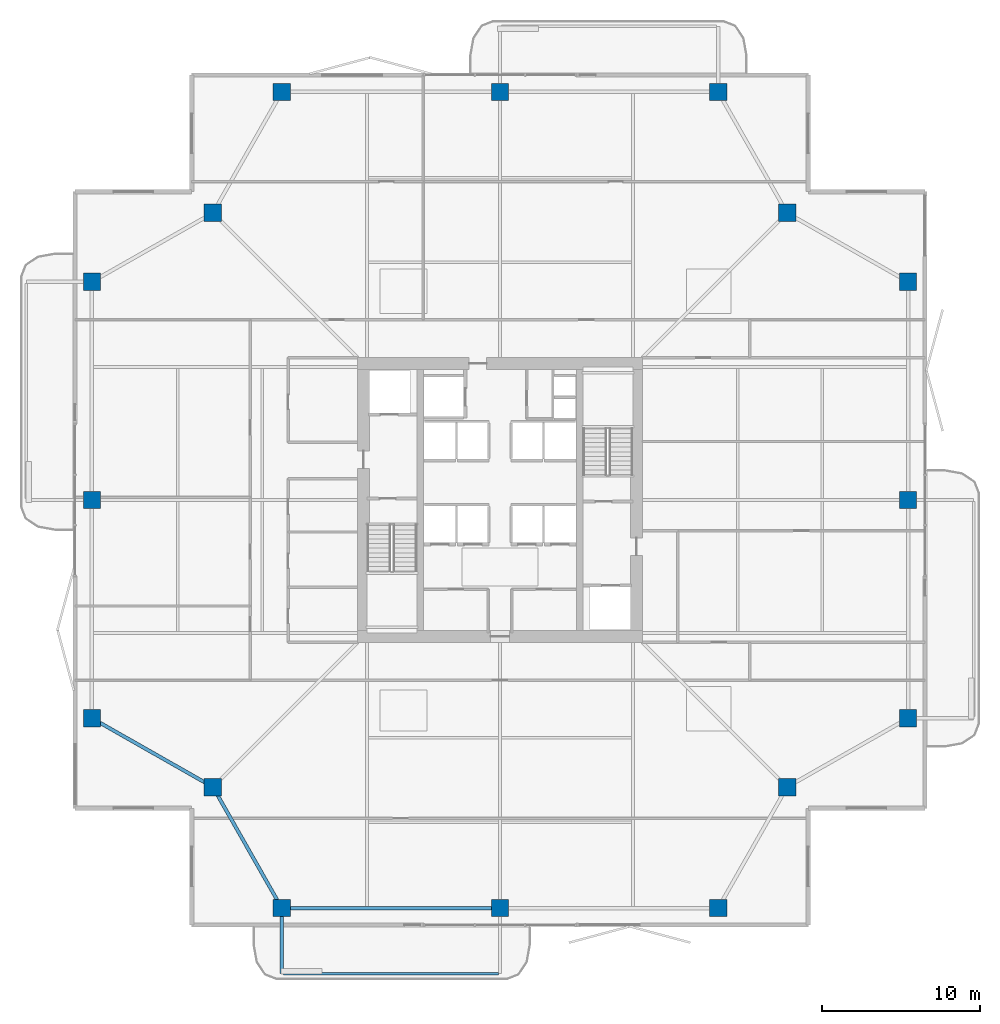
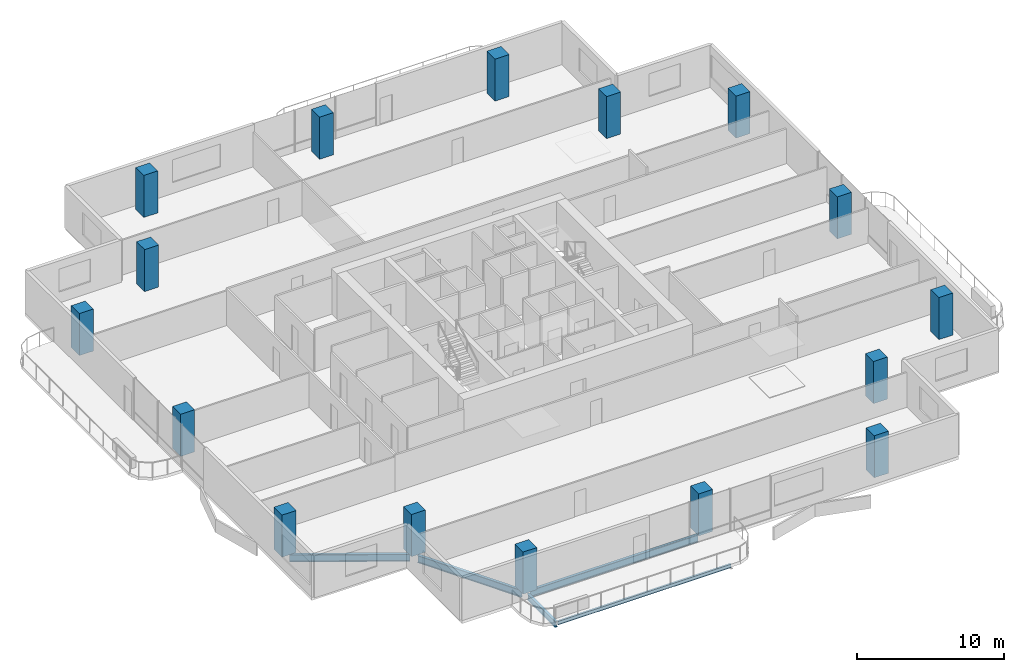
# One storey, part 1 of 24: 16 columns, 5 beams.
"""IFC4 building model written with IfcOpenShell, lengths in metres."""

import ifcopenshell
import ifcopenshell.guid

model = None  # the IFC model being written
_history = None  # IfcOwnerHistory: only IFC2X3 demands one
_inside = {}  # id of a spatial element -> (the spatial element, [elements in it])
_under = {}  # id of a project, library or spatial element -> (it, [spatial elements below it])
_declared = {}  # id of a project -> (the project, [libraries it declares])
_typed = {}  # id of a type object -> (the type object, [elements of that type])
_made_of = {}  # id of a material, layer set ... -> (it, [elements and type objects made of it])


def new_model(schema):
    """Start an empty IFC model of exactly this schema.

    Asked for "IFC4X3", IfcOpenShell would pick the latest addendum, in which some entities
    have other attributes; the version numbers below select the first issue.
    IFC2X3 requires an IfcOwnerHistory on every rooted entity: one is made here for all.
    """
    global model, _history
    if schema == "IFC4X3":
        model = ifcopenshell.file(schema_version=(4, 3, 0, 0))
    else:
        model = ifcopenshell.file(schema=schema)
    _inside.clear()
    _under.clear()
    _declared.clear()
    _typed.clear()
    _made_of.clear()
    _history = None
    if model.schema == "IFC2X3":
        org = make("IfcOrganization", Name="unknown")
        user = make(
            "IfcPersonAndOrganization",
            ThePerson=make("IfcPerson", FamilyName="unknown"),
            TheOrganization=org,
        )
        app = make(
            "IfcApplication",
            ApplicationDeveloper=org,
            Version="unknown",
            ApplicationFullName="unknown",
            ApplicationIdentifier="unknown",
        )
        _history = make(
            "IfcOwnerHistory",
            OwningUser=user,
            OwningApplication=app,
            ChangeAction="ADDED",
            CreationDate=0,
        )
    return model


def make(cls, **values):
    """One entity of the class cls with the attributes given. An attribute that is None is left unset."""
    return model.create_entity(
        cls, **{name: value for name, value in values.items() if value is not None}
    )


def rooted(cls, **values):
    """An entity with a GlobalId (a new one), such as an element, a storey or a relation."""
    return make(cls, GlobalId=ifcopenshell.guid.new(), OwnerHistory=_history, **values)


def si_unit(unit_type, name, prefix=None):
    """IfcSIUnit, for example si_unit("LENGTHUNIT", "METRE", prefix="MILLI")."""
    return make("IfcSIUnit", UnitType=unit_type, Prefix=prefix, Name=name)


def assignment(units):
    """IfcUnitAssignment: the units of a project."""
    return None if units is None else make("IfcUnitAssignment", Units=units)


def point(xyz):
    """IfcCartesianPoint."""
    return None if xyz is None else make("IfcCartesianPoint", Coordinates=xyz)


def direction(xyz):
    """IfcDirection."""
    return None if xyz is None else make("IfcDirection", DirectionRatios=xyz)


def frame(location, z_axis=None, x_axis=None):
    """IfcAxis2Placement3D, a coordinate frame: its origin and axes. An axis left out is left unset."""
    return make(
        "IfcAxis2Placement3D",
        Location=point(location),
        Axis=direction(z_axis),
        RefDirection=direction(x_axis),
    )


def frame_2d(location, x_axis=None):
    """IfcAxis2Placement2D, a coordinate frame in the plane: its origin and x axis."""
    return make(
        "IfcAxis2Placement2D", Location=point(location), RefDirection=direction(x_axis)
    )


def origin():
    """The frame at (0, 0, 0) with its axes left unset."""
    return frame((0.0, 0.0, 0.0))


def origin_2d():
    """The frame at (0, 0) in the plane with its x axis left unset."""
    return frame_2d((0.0, 0.0))


def place(relative_to, where):
    """IfcLocalPlacement: puts the frame where relative to a parent placement (None: the world)."""
    return make(
        "IfcLocalPlacement", PlacementRelTo=relative_to, RelativePlacement=where
    )


def context(
    kind, dimensions, precision=None, world=None, true_north=None, identifier=None
):
    """IfcGeometricRepresentationContext, for example the 3D "Model" context."""
    return make(
        "IfcGeometricRepresentationContext",
        ContextIdentifier=identifier,
        ContextType=kind,
        CoordinateSpaceDimension=dimensions,
        Precision=precision,
        WorldCoordinateSystem=world,
        TrueNorth=true_north,
    )


def subcontext(parent, identifier, kind, view, scale=None):
    """IfcGeometricRepresentationSubContext, for example "Body" below "Model"."""
    return make(
        "IfcGeometricRepresentationSubContext",
        ContextIdentifier=identifier,
        ContextType=kind,
        ParentContext=parent,
        TargetScale=scale,
        TargetView=view,
    )


def project(units=None, contexts=None):
    """IfcProject with its units and contexts."""
    return rooted(
        "IfcProject",
        Name="project",
        RepresentationContexts=contexts,
        UnitsInContext=assignment(units),
    )


def spatial(cls, under=None, at=None, **own):
    """A site, building, storey or space (cls), placed at a placement, below another one or the project."""
    s = rooted(cls, ObjectPlacement=at, **own)
    if under is not None:
        _under.setdefault(under.id(), (under, []))[1].append(s)
    return s


def profile(cls, at=None, kind="AREA", **sizes):
    """A parametric profile (cls). Its sizes go by their IFC names, for example OverallWidth=200.0."""
    return make(cls, ProfileType=kind, Position=at, **sizes)


def rectangle(**sizes):
    """IfcRectangleProfileDef."""
    return profile("IfcRectangleProfileDef", **sizes)


def i_section(**sizes):
    """IfcIShapeProfileDef."""
    return profile("IfcIShapeProfileDef", **sizes)


def extrude(swept, where, along, depth):
    """IfcExtrudedAreaSolid: the profile swept, set in the frame where, extruded along a direction by depth."""
    return make(
        "IfcExtrudedAreaSolid",
        SweptArea=swept,
        Position=where,
        ExtrudedDirection=direction(along),
        Depth=depth,
    )


def shape(context_of_items, identifier, shape_type, items):
    """IfcShapeRepresentation: the items that make up one representation, for example the "Body"."""
    return make(
        "IfcShapeRepresentation",
        ContextOfItems=context_of_items,
        RepresentationIdentifier=identifier,
        RepresentationType=shape_type,
        Items=items,
    )


def material(Name=None, Category=None):
    """IfcMaterial."""
    return make("IfcMaterial", Name=Name, Category=Category)


def material_profile(
    of_material, cross_section, Name=None, Category=None, Priority=None
):
    """IfcMaterialProfile: a cross section and its material."""
    return make(
        "IfcMaterialProfile",
        Name=Name,
        Material=of_material,
        Profile=cross_section,
        Priority=Priority,
        Category=Category,
    )


def profile_set(profiles, Name=None, composite=None):
    """IfcMaterialProfileSet."""
    return make(
        "IfcMaterialProfileSet",
        Name=Name,
        MaterialProfiles=profiles,
        CompositeProfile=composite,
    )


def made_of(thing, what):
    """Note that an element or type object is made of a material, layer set ...; save() writes the relation."""
    if what is not None:
        _made_of.setdefault(what.id(), (what, []))[1].append(thing)
    return thing


def type_object(cls, material=None, **own):
    """A type object (cls), such as IfcWallType, which elements share."""
    return made_of(rooted(cls, **own), material)


def element(
    cls,
    number,
    at=None,
    inside=None,
    cuts=None,
    type_object=None,
    material=None,
    context=None,
    identifier="Body",
    shape_type=None,
    held_by="IfcProductDefinitionShape",
    body=None,
    shapes=None,
    **own,
):
    """One element of the class cls, such as IfcWall. Its Tag is "e" and its number.

    at: its placement. inside: the storey or other place that contains it. cuts: it is an
    opening in that element (IfcRelVoidsElement). A single representation is given by context,
    identifier, shape_type and body (its items); several are given by shapes. held_by: the class
    of the entity that holds the representations. save() writes the other relations.
    """
    e = rooted(cls, Tag="e%d" % number, ObjectPlacement=at, **own)
    if body is not None:
        shapes = [shape(context, identifier, shape_type, body)]
    if shapes is not None:
        e.Representation = make(held_by, Representations=shapes)
    if inside is not None:
        _inside.setdefault(inside.id(), (inside, []))[1].append(e)
    if cuts is not None:
        rooted(
            "IfcRelVoidsElement", RelatingBuildingElement=cuts, RelatedOpeningElement=e
        )
    if type_object is not None:
        _typed.setdefault(type_object.id(), (type_object, []))[1].append(e)
    return made_of(e, material)


def aggregate(whole, parts):
    """IfcRelAggregates: a whole, such as a stair, and the parts it consists of."""
    return rooted("IfcRelAggregates", RelatingObject=whole, RelatedObjects=parts)


def save(model, path):
    """Write the relations noted so far, then the file.

    IfcRelAggregates (storeys below a building ...), IfcRelContainedInSpatialStructure (elements
    in a storey), IfcRelDefinesByType, IfcRelAssociatesMaterial and IfcRelDeclares: one each for
    every whole, place, type object, material and project.
    """
    for whole, parts in _under.values():
        aggregate(whole, parts)
    for where, things in _inside.values():
        rooted(
            "IfcRelContainedInSpatialStructure",
            RelatedElements=things,
            RelatingStructure=where,
        )
    for kind, things in _typed.values():
        rooted("IfcRelDefinesByType", RelatedObjects=things, RelatingType=kind)
    for what, things in _made_of.values():
        rooted("IfcRelAssociatesMaterial", RelatedObjects=things, RelatingMaterial=what)
    for by, libraries in _declared.values():
        rooted("IfcRelDeclares", RelatingContext=by, RelatedDefinitions=libraries)
    model.write(path)


model = new_model("IFC4")

# Units and contexts
model_context = context("Model", 3, precision=1e-05, world=origin(), true_north=direction((0.0, 1.0)))
body_context = subcontext(model_context, "Body", "Model", "MODEL_VIEW")
ifc_project = project(units=[si_unit("LENGTHUNIT", "METRE"), si_unit("AREAUNIT", "SQUARE_METRE"), si_unit("VOLUMEUNIT", "CUBIC_METRE"), si_unit("PLANEANGLEUNIT", "RADIAN"), si_unit("MASSUNIT", "GRAM", prefix="KILO")], contexts=[model_context])

# Site, building, storey
site_placement = place(None, origin())
site = spatial("IfcSite", under=ifc_project, at=site_placement, CompositionType="ELEMENT")
building_placement = place(site_placement, origin())
building = spatial("IfcBuilding", under=site, at=building_placement, Name="Belovzor Exchange Tower", CompositionType="ELEMENT")
storey_placement = place(building_placement, frame((0.0, 0.0, 207.449951171875)))
storey = spatial("IfcBuildingStorey", under=building, at=storey_placement, Name="L51", CompositionType="ELEMENT", Elevation=207.449951171875)

# Columns
ifc_material_1 = material(Name="Concrete C50/60", Category="concrete")
ifc_material_profile_1 = material_profile(ifc_material_1, rectangle(XDim=1.10009765625, YDim=1.10009765625, at=origin_2d()))
ifc_profile_set_1 = profile_set([ifc_material_profile_1], Name="Concrete C50/60")
column_type = type_object("IfcColumnType", Name="Reinforced Concrete Tower Column 1100x1100", PredefinedType="COLUMN", material=ifc_profile_set_1)
for number, where, z_axis, x_axis, name in (
    (1, (15.0, 3.0, 0.0029296875), (0.0, 0.0, 1.0), (1.0, 0.0, 0.0), "COL-T110 Reinforced Concrete Tower Column 1100x1100"),
    (2, (28.800048828125, 3.0, 0.0029296875), (0.0, 0.0, 1.0), (1.0, 0.0, 0.0), "COL-T110 Reinforced Concrete Tower Column 1100x1100"),
    (3, (42.60009765625, 3.0, 0.0029296875), (0.0, 0.0, 1.0), (1.0, 0.0, 0.0), "COL-T110 Reinforced Concrete Tower Column 1100x1100"),
    (4, (54.60009765625, 15.0, 0.0029296875), (0.0, 0.0, 1.0), (1.0, 0.0, 0.0), "COL-T110 Reinforced Concrete Tower Column 1100x1100"),
    (5, (54.60009765625, 28.800048828125, 0.0029296875), (0.0, 0.0, 1.0), (1.0, 0.0, 0.0), "COL-T110 Reinforced Concrete Tower Column 1100x1100"),
    (6, (54.60009765625, 42.60009765625, 0.0029296875), (0.0, 0.0, 1.0), (1.0, 0.0, 0.0), "COL-T110 Reinforced Concrete Tower Column 1100x1100"),
    (7, (42.60009765625, 54.60009765625, 0.0029296875), (0.0, 0.0, 1.0), (1.0, 0.0, 0.0), "COL-T110 Reinforced Concrete Tower Column 1100x1100"),
    (8, (28.800048828125, 54.60009765625, 0.0029296875), (0.0, 0.0, 1.0), (1.0, 0.0, 0.0), "COL-T110 Reinforced Concrete Tower Column 1100x1100"),
    (9, (15.0, 54.60009765625, 0.0029296875), (0.0, 0.0, 1.0), (1.0, 0.0, 0.0), "COL-T110 Reinforced Concrete Tower Column 1100x1100"),
    (10, (3.0, 42.60009765625, 0.0029296875), (0.0, 0.0, 1.0), (1.0, 0.0, 0.0), "COL-T110 Reinforced Concrete Tower Column 1100x1100"),
    (11, (3.0, 28.800048828125, 0.0029296875), (0.0, 0.0, 1.0), (1.0, 0.0, 0.0), "COL-T110 Reinforced Concrete Tower Column 1100x1100"),
    (12, (3.0, 15.0, 0.0029296875), (0.0, 0.0, 1.0), (1.0, 0.0, 0.0), "COL-T110 Reinforced Concrete Tower Column 1100x1100"),
    (13, (10.64990234375, 10.64990234375, 0.0029296875), (0.0, 0.0, 1.0), (1.0, 0.0, 0.0), "COL-T110 Reinforced Concrete Tower Column 1100x1100"),
    (14, (46.949951171875, 10.64990234375, 0.0029296875), (0.0, 0.0, 1.0), (1.0, 0.0, 0.0), "COL-T110 Reinforced Concrete Tower Column 1100x1100"),
    (15, (46.949951171875, 46.949951171875, 0.0029296875), (0.0, 0.0, 1.0), (1.0, 0.0, 0.0), "COL-T110 Reinforced Concrete Tower Column 1100x1100"),
    (16, (10.64990234375, 46.949951171875, 0.0029296875), (0.0, 0.0, 1.0), (1.0, 0.0, 0.0), "COL-T110 Reinforced Concrete Tower Column 1100x1100"),
):
    element("IfcColumn", number, at=place(storey_placement, frame(where, z_axis=z_axis, x_axis=x_axis)), inside=storey, type_object=column_type, Name=name, PredefinedType="COLUMN", context=body_context, shape_type="SweptSolid", body=[
        extrude(rectangle(XDim=1.10009765625, YDim=1.10009765625, at=origin_2d()), origin(), (0.0, 0.0, 1.0), 3.494140625),
    ])

# Beams
ifc_material_2 = material(Name="Steel S355", Category="steel")
ifc_material_profile_2 = material_profile(ifc_material_2, i_section(OverallWidth=0.199951171875, OverallDepth=0.5, WebThickness=0.01025390625, FlangeThickness=0.01611328125, at=origin_2d()))
ifc_profile_set_2 = profile_set([ifc_material_profile_2], Name="Steel S355")
beam_type_1 = type_object("IfcBeamType", Name="Planted Balcony Cantilever Beam IPE 500", PredefinedType="BEAM", material=ifc_profile_set_2)
beam_1_placement = place(storey_placement, frame((15.0, 2.697021484375, -0.5), z_axis=(0.0, -1.0, 0.0), x_axis=(1.0, 0.0, 0.0)))
element("IfcBeam", 17, at=beam_1_placement, inside=storey, type_object=beam_type_1, Name="BC-500 Planted Balcony Cantilever Beam IPE 500", PredefinedType="BEAM", context=body_context, shape_type="SweptSolid", body=[
    extrude(i_section(OverallWidth=0.199951171875, OverallDepth=0.5, WebThickness=0.01025390625, FlangeThickness=0.01611328125, at=origin_2d()), origin(), (0.0, 0.0, 1.0), 3.85009765625),
])
ifc_material_3 = material(Name="Steel S355", Category="steel")
ifc_material_profile_3 = material_profile(ifc_material_3, i_section(OverallWidth=0.14990234375, OverallDepth=0.300048828125, WebThickness=0.007080078125, FlangeThickness=0.0107421875, at=origin_2d()))
ifc_profile_set_3 = profile_set([ifc_material_profile_3], Name="Steel S355")
beam_type_2 = type_object("IfcBeamType", Name="Planted Balcony Fascia Edge Beam IPE 300", PredefinedType="BEAM", material=ifc_profile_set_3)
beam_2_placement = place(storey_placement, frame((15.10009765625, -1.153076171875, -0.39990234375), z_axis=(1.0, 0.0, 0.0), x_axis=(0.0, 1.0, 0.0)))
element("IfcBeam", 18, at=beam_2_placement, inside=storey, type_object=beam_type_2, Name="BC-300 Planted Balcony Fascia Edge Beam IPE 300", PredefinedType="BEAM", context=body_context, shape_type="SweptSolid", body=[
    extrude(i_section(OverallWidth=0.14990234375, OverallDepth=0.300048828125, WebThickness=0.007080078125, FlangeThickness=0.0107421875, at=origin_2d()), origin(), (0.0, 0.0, 1.0), 13.599853515625),
])
ifc_material_4 = material(Name="Steel S355", Category="steel")
ifc_material_profile_4 = material_profile(ifc_material_4, i_section(OverallWidth=0.219970703125, OverallDepth=0.60009765625, WebThickness=0.011962890625, FlangeThickness=0.01904296875, at=origin_2d()))
ifc_profile_set_4 = profile_set([ifc_material_profile_4], Name="Steel S355")
beam_type_3 = type_object("IfcBeamType", Name="Zone 4 Flare Primary Girder IPE 600", PredefinedType="BEAM", material=ifc_profile_set_4)
beam_3_placement = place(storey_placement, frame((10.800048828125, 10.386962890625, -0.550048828125), z_axis=(0.494222323641, -0.869335547884, 0.0), x_axis=(0.869335547884, 0.494222323641, 0.0)))
element("IfcBeam", 19, at=beam_3_placement, inside=storey, type_object=beam_type_3, Name="FG-Z4 Zone 4 Flare Primary Girder IPE 600", PredefinedType="BEAM", context=body_context, shape_type="SweptSolid", body=[
    extrude(i_section(OverallWidth=0.219970703125, OverallDepth=0.60009765625, WebThickness=0.011962890625, FlangeThickness=0.01904296875, at=origin_2d()), origin(), (0.0, 0.0, 1.0), 8.19482421875),
])
beam_4_placement = place(storey_placement, frame((15.302978515625, 3.0, -0.550048828125), z_axis=(1.0, 0.0, 0.0), x_axis=(0.0, 1.0, 0.0)))
element("IfcBeam", 20, at=beam_4_placement, inside=storey, type_object=beam_type_3, Name="FG-Z4 Zone 4 Flare Primary Girder IPE 600", PredefinedType="BEAM", context=body_context, shape_type="SweptSolid", body=[
    extrude(i_section(OverallWidth=0.219970703125, OverallDepth=0.60009765625, WebThickness=0.011962890625, FlangeThickness=0.01904296875, at=origin_2d()), origin(), (0.0, 0.0, 1.0), 13.195068359375),
])
beam_5_placement = place(storey_placement, frame((3.262939453125, 14.85009765625, -0.550048828125), z_axis=(0.869335547884, -0.494222323641, 0.0), x_axis=(0.494222323641, 0.869335547884, 0.0)))
element("IfcBeam", 21, at=beam_5_placement, inside=storey, type_object=beam_type_3, Name="FG-Z4 Zone 4 Flare Primary Girder IPE 600", PredefinedType="BEAM", context=body_context, shape_type="SweptSolid", body=[
    extrude(i_section(OverallWidth=0.219970703125, OverallDepth=0.60009765625, WebThickness=0.011962890625, FlangeThickness=0.01904296875, at=origin_2d()), origin(), (0.0, 0.0, 1.0), 8.19482421875),
])

save(model, "model.ifc")
